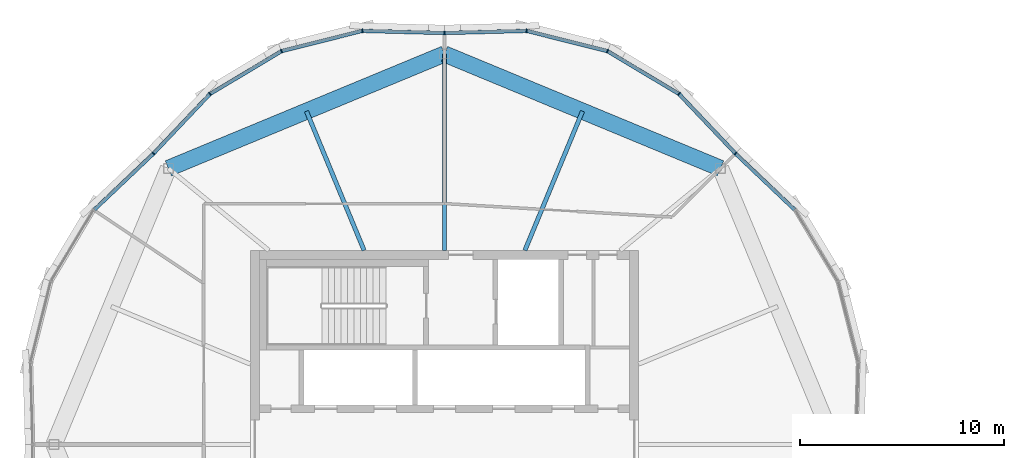
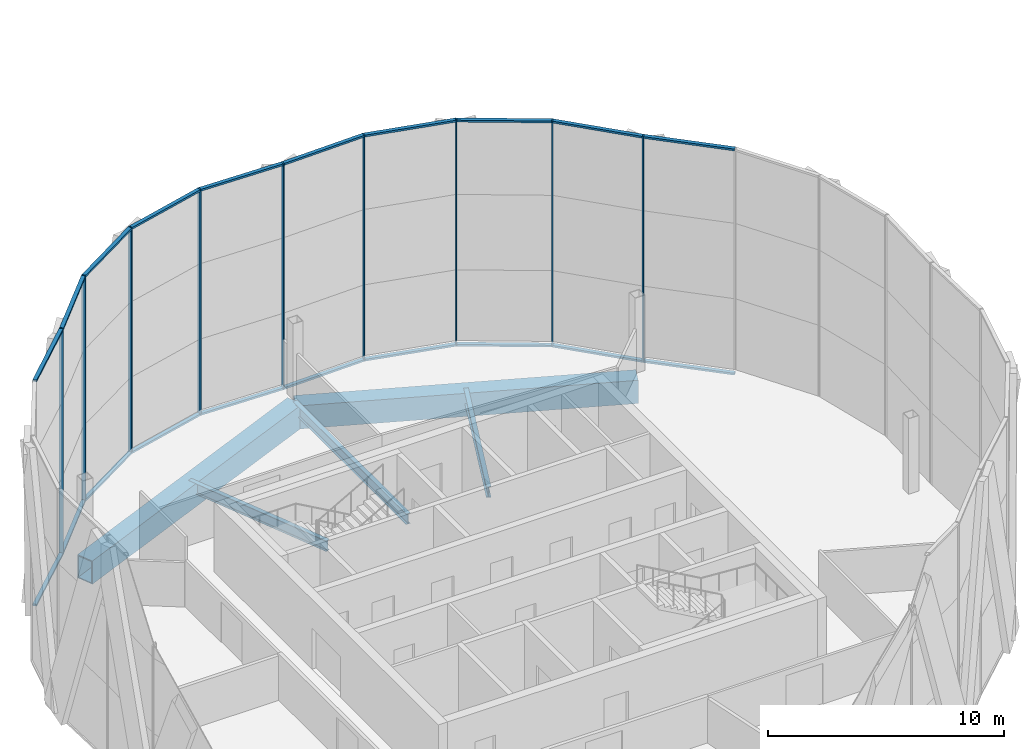
# One storey, part 7 of 22: 29 members, 5 beams, 4 elements without a shape of their own.
"""IFC4 building model written with IfcOpenShell, lengths in metres."""

from ifc_helpers import new_model, si_unit, direction, frame, origin, origin_2d, place, context, subcontext, project, spatial, rectangle, hollow_rectangle, i_section, extrude, material, material_profile, profile_set, type_object, element, aggregate, save


model = new_model("IFC4")

# Units and contexts
model_context = context("Model", 3, precision=1e-05, world=origin(), true_north=direction((0.0, 1.0)))
body_context = subcontext(model_context, "Body", "Model", "MODEL_VIEW")
ifc_project = project(units=[si_unit("LENGTHUNIT", "METRE"), si_unit("AREAUNIT", "SQUARE_METRE"), si_unit("VOLUMEUNIT", "CUBIC_METRE"), si_unit("PLANEANGLEUNIT", "RADIAN"), si_unit("MASSUNIT", "GRAM", prefix="KILO")], contexts=[model_context])

# Site, building, storey
site_placement = place(None, origin())
site = spatial("IfcSite", under=ifc_project, at=site_placement, CompositionType="ELEMENT")
building_placement = place(site_placement, origin())
building = spatial("IfcBuilding", under=site, at=building_placement, Name="Ogive Gate Towers", CompositionType="ELEMENT")
storey_placement = place(building_placement, frame((0.0, 0.0, 228.89990234375)))
storey = spatial("IfcBuildingStorey", under=building, at=storey_placement, Name="L54", CompositionType="ELEMENT", Elevation=228.89990234375)

# Beams
ifc_material_1 = material(Name="Steel SM460", Category="steel")
ifc_material_profile_1 = material_profile(ifc_material_1, hollow_rectangle(XDim=0.800048828125, YDim=1.199951171875, WallThickness=0.050048828125, at=origin_2d()), Name="BX 1200x800x50")
ifc_profile_set_1 = profile_set([ifc_material_profile_1], Name="Steel SM460")
beam_type_1 = type_object("IfcBeamType", Name="Edge girder BX 1200x800x50", PredefinedType="BEAM", material=ifc_profile_set_1)
for number, where, z_axis, x_axis, name in (
    (1, (-22.4873046875, 13.5126953125, -0.89990234375), (-0.923872994947, 0.38269921506, 0.0), (-0.38269921506, -0.923872994947, 0.0), "T1/L54/SBM021"),
    (2, (-36.0, 19.110107421875, -0.89990234375), (-0.923872994947, -0.38269921506, 0.0), (0.38269921506, -0.923872994947, 0.0), "T1/L54/SBM022"),
):
    element("IfcBeam", number, at=place(storey_placement, frame(where, z_axis=z_axis, x_axis=x_axis)), inside=storey, type_object=beam_type_1, Name=name, PredefinedType="BEAM", context=body_context, shape_type="SweptSolid", body=[
        extrude(hollow_rectangle(XDim=0.800048828125, YDim=1.199951171875, WallThickness=0.050048828125, at=origin_2d()), origin(), (0.0, 0.0, 1.0), 14.626220703125),
    ])
ifc_material_2 = material(Name="Steel SM355", Category="steel")
ifc_material_profile_2 = material_profile(ifc_material_2, i_section(OverallWidth=0.2099609375, OverallDepth=0.550048828125, WebThickness=0.010986328125, FlangeThickness=0.01708984375, FilletRadius=0.02392578125, at=origin_2d()), Name="IPE 550")
ifc_profile_set_2 = profile_set([ifc_material_profile_2], Name="Steel SM355")
beam_type_2 = type_object("IfcBeamType", Name="Radial floor beam IPE 550", PredefinedType="BEAM", material=ifc_profile_set_2)
beam_1_placement = place(storey_placement, frame((-32.06494140625, 9.5, -0.574951171875), z_axis=(0.382667649558, 0.923886069806, 0.0), x_axis=(-0.923886069806, 0.382667649558, 0.0)))
element("IfcBeam", 3, at=beam_1_placement, inside=storey, type_object=beam_type_2, Name="T1/L54/SBM010", PredefinedType="BEAM", context=body_context, shape_type="SweptSolid", body=[
    extrude(i_section(OverallWidth=0.2099609375, OverallDepth=0.550048828125, WebThickness=0.010986328125, FlangeThickness=0.01708984375, FilletRadius=0.02392578125, at=origin_2d()), origin(), (0.0, 0.0, 1.0), 7.372802734375),
])
beam_2_placement = place(storey_placement, frame((-36.0, 9.5, -0.574951171875), z_axis=(0.0, 1.0, 0.0), x_axis=(-1.0, 0.0, 0.0)))
element("IfcBeam", 4, at=beam_2_placement, inside=storey, type_object=beam_type_2, Name="T1/L54/SBM011", PredefinedType="BEAM", context=body_context, shape_type="SweptSolid", body=[
    extrude(i_section(OverallWidth=0.2099609375, OverallDepth=0.550048828125, WebThickness=0.010986328125, FlangeThickness=0.01708984375, FilletRadius=0.02392578125, at=origin_2d()), origin(), (0.0, 0.0, 1.0), 9.610107421875),
])
beam_3_placement = place(storey_placement, frame((-39.93505859375, 9.5, -0.574951171875), z_axis=(-0.382667649558, 0.923886069806, 0.0), x_axis=(-0.923886069806, -0.382667649558, 0.0)))
element("IfcBeam", 5, at=beam_3_placement, inside=storey, type_object=beam_type_2, Name="T1/L54/SBM012", PredefinedType="BEAM", context=body_context, shape_type="SweptSolid", body=[
    extrude(i_section(OverallWidth=0.2099609375, OverallDepth=0.550048828125, WebThickness=0.010986328125, FlangeThickness=0.01708984375, FilletRadius=0.02392578125, at=origin_2d()), origin(), (0.0, 0.0, 1.0), 7.372802734375),
])

# Curtain wall, member
ifc_material_3 = material(Name="Pale metal aluminium", Category="aluminium")
curtain_wall_type = type_object("IfcCurtainWallType", Name="Tower unitised wall, high zone", PredefinedType="NOTDEFINED", material=ifc_material_3)
curtain_wall_1_placement = place(storey_placement, origin())
curtain_wall_1 = element("IfcCurtainWall", 6, at=curtain_wall_1_placement, inside=storey, type_object=curtain_wall_type, Name="CW2 T1 ECW01", PredefinedType="NOTDEFINED")
ifc_material_profile_3 = material_profile(ifc_material_3, rectangle(XDim=0.179931640625, YDim=0.06005859375, at=origin_2d()), Name="60 x 180 aluminium box")
ifc_profile_set_3 = profile_set([ifc_material_profile_3], Name="Pale metal aluminium")
member_type_1 = type_object("IfcMemberType", Name="Tower unitised wall, high zone mullion 60 x 180", PredefinedType="MULLION", material=ifc_profile_set_3)
member_1_placement = place(storey_placement, frame((-21.7587890625, 14.240966796875, -0.2998046875), z_axis=(0.0, 0.0, 1.0), x_axis=(0.688329254932, 0.725398398678, 0.0)))
member_1 = element("IfcMember", 7, at=member_1_placement, type_object=member_type_1, Name="CW2 mullion", PredefinedType="MULLION", context=body_context, shape_type="SweptSolid", body=[
    extrude(rectangle(XDim=0.179931640625, YDim=0.06005859375, at=origin_2d()), origin(), (0.0, 0.0, 1.0), 11.699951171875),
])

# Curtain wall, members
curtain_wall_2_placement = place(storey_placement, origin())
curtain_wall_2 = element("IfcCurtainWall", 8, at=curtain_wall_2_placement, inside=storey, type_object=curtain_wall_type, Name="CW2 T1 ECW02", PredefinedType="NOTDEFINED")
member_2_placement = place(storey_placement, frame((-24.526123046875, 17.15771484375, -0.2998046875), z_axis=(0.0, 0.0, 1.0), x_axis=(0.625528657017, 0.780201191521, 0.0)))
member_2 = element("IfcMember", 9, at=member_2_placement, type_object=member_type_1, Name="CW2 mullion", PredefinedType="MULLION", context=body_context, shape_type="SweptSolid", body=[
    extrude(rectangle(XDim=0.179931640625, YDim=0.06005859375, at=origin_2d()), origin(), (0.0, 0.0, 1.0), 11.699951171875),
])
member_3_placement = place(storey_placement, frame((-28.0244140625, 19.254638671875, -0.2998046875), z_axis=(0.0, 0.0, 1.0), x_axis=(0.382699557047, 0.923872853285, 0.0)))
member_3 = element("IfcMember", 10, at=member_3_placement, type_object=member_type_1, Name="CW2 mullion", PredefinedType="MULLION", context=body_context, shape_type="SweptSolid", body=[
    extrude(rectangle(XDim=0.179931640625, YDim=0.06005859375, at=origin_2d()), origin(), (0.0, 0.0, 1.0), 11.699951171875),
])
member_4_placement = place(storey_placement, frame((-31.98095703125, 20.24560546875, -0.2998046875), z_axis=(0.0, 0.0, 1.0), x_axis=(0.109369998011, 0.994001108417, 0.0)))
member_4 = element("IfcMember", 11, at=member_4_placement, type_object=member_type_1, Name="CW2 mullion", PredefinedType="MULLION", context=body_context, shape_type="SweptSolid", body=[
    extrude(rectangle(XDim=0.179931640625, YDim=0.06005859375, at=origin_2d()), origin(), (0.0, 0.0, 1.0), 11.699951171875),
])
member_5_placement = place(storey_placement, frame((-35.999755859375, 20.139892578125, -0.2998046875), z_axis=(0.0, 0.0, 1.0), x_axis=(-0.026229290207, 0.999655952983, 0.0)))
member_5 = element("IfcMember", 12, at=member_5_placement, type_object=member_type_1, Name="CW2 mullion", PredefinedType="MULLION", context=body_context, shape_type="SweptSolid", body=[
    extrude(rectangle(XDim=0.179931640625, YDim=0.06005859375, at=origin_2d()), origin(), (0.0, 0.0, 1.0), 11.699951171875),
])

curtain_wall_3_placement = place(storey_placement, origin())
curtain_wall_3 = element("IfcCurtainWall", 13, at=curtain_wall_3_placement, inside=storey, type_object=curtain_wall_type, Name="CW2 T1 ECW03", PredefinedType="NOTDEFINED")
member_6_placement = place(storey_placement, frame((-40.01904296875, 20.24560546875, -0.2998046875), z_axis=(0.0, 0.0, 1.0), x_axis=(-0.109369998011, 0.994001108417, 0.0)))
member_6 = element("IfcMember", 14, at=member_6_placement, type_object=member_type_1, Name="CW2 mullion", PredefinedType="MULLION", context=body_context, shape_type="SweptSolid", body=[
    extrude(rectangle(XDim=0.179931640625, YDim=0.06005859375, at=origin_2d()), origin(), (0.0, 0.0, 1.0), 11.699951171875),
])
member_7_placement = place(storey_placement, frame((-43.9755859375, 19.254638671875, -0.2998046875), z_axis=(0.0, 0.0, 1.0), x_axis=(-0.382699557047, 0.923872853285, 0.0)))
member_7 = element("IfcMember", 15, at=member_7_placement, type_object=member_type_1, Name="CW2 mullion", PredefinedType="MULLION", context=body_context, shape_type="SweptSolid", body=[
    extrude(rectangle(XDim=0.179931640625, YDim=0.06005859375, at=origin_2d()), origin(), (0.0, 0.0, 1.0), 11.699951171875),
])
member_8_placement = place(storey_placement, frame((-47.473876953125, 17.15771484375, -0.2998046875), z_axis=(0.0, 0.0, 1.0), x_axis=(-0.625528657017, 0.780201191521, 0.0)))
member_8 = element("IfcMember", 16, at=member_8_placement, type_object=member_type_1, Name="CW2 mullion", PredefinedType="MULLION", context=body_context, shape_type="SweptSolid", body=[
    extrude(rectangle(XDim=0.179931640625, YDim=0.06005859375, at=origin_2d()), origin(), (0.0, 0.0, 1.0), 11.699951171875),
])
member_9_placement = place(storey_placement, frame((-50.240966796875, 14.2412109375, -0.2998046875), z_axis=(0.0, 0.0, 1.0), x_axis=(-0.725398398678, 0.688329254932, 0.0)))
member_9 = element("IfcMember", 17, at=member_9_placement, type_object=member_type_1, Name="CW2 mullion", PredefinedType="MULLION", context=body_context, shape_type="SweptSolid", body=[
    extrude(rectangle(XDim=0.179931640625, YDim=0.06005859375, at=origin_2d()), origin(), (0.0, 0.0, 1.0), 11.699951171875),
])

# Member
ifc_material_profile_4 = material_profile(ifc_material_3, rectangle(XDim=0.179931640625, YDim=0.10009765625, at=origin_2d()), Name="100 x 180 aluminium box")
ifc_profile_set_4 = profile_set([ifc_material_profile_4], Name="Pale metal aluminium")
member_type_2 = type_object("IfcMemberType", Name="Tower unitised wall, high zone transom 100 x 180", PredefinedType="USERDEFINED", material=ifc_profile_set_4)
member_10_placement = place(storey_placement, frame((-18.86328125, 11.493408203125, 11.35009765625), z_axis=(-0.725384001272, 0.688344427375, 0.0), x_axis=(-0.688344427375, -0.725384001272, 0.0)))
member_10 = element("IfcMember", 18, at=member_10_placement, type_object=member_type_2, Name="CW2 transom", ObjectType="TRANSOM", PredefinedType="USERDEFINED", context=body_context, shape_type="SweptSolid", body=[
    extrude(rectangle(XDim=0.179931640625, YDim=0.10009765625, at=origin_2d()), origin(), (0.0, 0.0, 1.0), 3.96142578125),
])

member_11_placement = place(storey_placement, frame((-18.86328125, 11.493408203125, -0.25), z_axis=(-0.725384001272, 0.688344427375, 0.0), x_axis=(-0.688344427375, -0.725384001272, 0.0)))
member_11 = element("IfcMember", 19, at=member_11_placement, type_object=member_type_2, Name="CW2 transom", ObjectType="TRANSOM", PredefinedType="USERDEFINED", context=body_context, shape_type="SweptSolid", body=[
    extrude(rectangle(XDim=0.179931640625, YDim=0.10009765625, at=origin_2d()), origin(), (0.0, 0.0, 1.0), 3.96142578125),
])

aggregate(curtain_wall_1, [member_1, member_10, member_11])

member_12_placement = place(storey_placement, frame((-21.77978515625, 14.26318359375, 11.35009765625), z_axis=(-0.688344427375, 0.725384001272, 0.0), x_axis=(-0.725384001272, -0.688344427375, 0.0)))
member_12 = element("IfcMember", 20, at=member_12_placement, type_object=member_type_2, Name="CW2 transom", ObjectType="TRANSOM", PredefinedType="USERDEFINED", context=body_context, shape_type="SweptSolid", body=[
    extrude(rectangle(XDim=0.179931640625, YDim=0.10009765625, at=origin_2d()), origin(), (0.0, 0.0, 1.0), 3.96142578125),
])

member_13_placement = place(storey_placement, frame((-21.77978515625, 14.26318359375, -0.25), z_axis=(-0.688344427375, 0.725384001272, 0.0), x_axis=(-0.725384001272, -0.688344427375, 0.0)))
member_13 = element("IfcMember", 21, at=member_13_placement, type_object=member_type_2, Name="CW2 transom", ObjectType="TRANSOM", PredefinedType="USERDEFINED", context=body_context, shape_type="SweptSolid", body=[
    extrude(rectangle(XDim=0.179931640625, YDim=0.10009765625, at=origin_2d()), origin(), (0.0, 0.0, 1.0), 3.96142578125),
])

member_14_placement = place(storey_placement, frame((-24.55078125, 17.172119140625, 11.35009765625), z_axis=(-0.857674994369, 0.514192185894, 0.0), x_axis=(-0.514192185894, -0.857674994369, 0.0)))
member_14 = element("IfcMember", 22, at=member_14_placement, type_object=member_type_2, Name="CW2 transom", ObjectType="TRANSOM", PredefinedType="USERDEFINED", context=body_context, shape_type="SweptSolid", body=[
    extrude(rectangle(XDim=0.179931640625, YDim=0.10009765625, at=origin_2d()), origin(), (0.0, 0.0, 1.0), 4.021484375),
])

member_15_placement = place(storey_placement, frame((-24.55078125, 17.172119140625, -0.25), z_axis=(-0.857674994369, 0.514192185894, 0.0), x_axis=(-0.514192185894, -0.857674994369, 0.0)))
member_15 = element("IfcMember", 23, at=member_15_placement, type_object=member_type_2, Name="CW2 transom", ObjectType="TRANSOM", PredefinedType="USERDEFINED", context=body_context, shape_type="SweptSolid", body=[
    extrude(rectangle(XDim=0.179931640625, YDim=0.10009765625, at=origin_2d()), origin(), (0.0, 0.0, 1.0), 4.021484375),
])

member_16_placement = place(storey_placement, frame((-28.052001953125, 19.261474609375, 11.35009765625), z_axis=(-0.970038852527, 0.242949839653, 0.0), x_axis=(-0.242949839653, -0.970038852527, 0.0)))
member_16 = element("IfcMember", 24, at=member_16_placement, type_object=member_type_2, Name="CW2 transom", ObjectType="TRANSOM", PredefinedType="USERDEFINED", context=body_context, shape_type="SweptSolid", body=[
    extrude(rectangle(XDim=0.179931640625, YDim=0.10009765625, at=origin_2d()), origin(), (0.0, 0.0, 1.0), 4.021728515625),
])

member_17_placement = place(storey_placement, frame((-28.052001953125, 19.261474609375, -0.25), z_axis=(-0.970038852527, 0.242949839653, 0.0), x_axis=(-0.242949839653, -0.970038852527, 0.0)))
member_17 = element("IfcMember", 25, at=member_17_placement, type_object=member_type_2, Name="CW2 transom", ObjectType="TRANSOM", PredefinedType="USERDEFINED", context=body_context, shape_type="SweptSolid", body=[
    extrude(rectangle(XDim=0.179931640625, YDim=0.10009765625, at=origin_2d()), origin(), (0.0, 0.0, 1.0), 4.021728515625),
])

member_18_placement = place(storey_placement, frame((-32.009521484375, 20.24462890625, 11.35009765625), z_axis=(-0.999656940786, -0.026191615796, 0.0), x_axis=(0.026191615796, -0.999656940786, 0.0)))
member_18 = element("IfcMember", 26, at=member_18_placement, type_object=member_type_2, Name="CW2 transom", ObjectType="TRANSOM", PredefinedType="USERDEFINED", context=body_context, shape_type="SweptSolid", body=[
    extrude(rectangle(XDim=0.179931640625, YDim=0.10009765625, at=origin_2d()), origin(), (0.0, 0.0, 1.0), 3.961669921875),
])

member_19_placement = place(storey_placement, frame((-32.009521484375, 20.24462890625, -0.25), z_axis=(-0.999656940786, -0.026191615796, 0.0), x_axis=(0.026191615796, -0.999656940786, 0.0)))
member_19 = element("IfcMember", 27, at=member_19_placement, type_object=member_type_2, Name="CW2 transom", ObjectType="TRANSOM", PredefinedType="USERDEFINED", context=body_context, shape_type="SweptSolid", body=[
    extrude(rectangle(XDim=0.179931640625, YDim=0.10009765625, at=origin_2d()), origin(), (0.0, 0.0, 1.0), 3.961669921875),
])

aggregate(curtain_wall_2, [member_2, member_12, member_13, member_3, member_14, member_15, member_4, member_16, member_17, member_5, member_18, member_19])

member_20_placement = place(storey_placement, frame((-36.0302734375, 20.140869140625, 11.35009765625), z_axis=(-0.999656940786, 0.026191615796, 0.0), x_axis=(-0.026191615796, -0.999656940786, 0.0)))
member_20 = element("IfcMember", 28, at=member_20_placement, type_object=member_type_2, Name="CW2 transom", ObjectType="TRANSOM", PredefinedType="USERDEFINED", context=body_context, shape_type="SweptSolid", body=[
    extrude(rectangle(XDim=0.179931640625, YDim=0.10009765625, at=origin_2d()), origin(), (0.0, 0.0, 1.0), 3.961669921875),
])

member_21_placement = place(storey_placement, frame((-36.0302734375, 20.140869140625, -0.25), z_axis=(-0.999656940786, 0.026191615796, 0.0), x_axis=(-0.026191615796, -0.999656940786, 0.0)))
member_21 = element("IfcMember", 29, at=member_21_placement, type_object=member_type_2, Name="CW2 transom", ObjectType="TRANSOM", PredefinedType="USERDEFINED", context=body_context, shape_type="SweptSolid", body=[
    extrude(rectangle(XDim=0.179931640625, YDim=0.10009765625, at=origin_2d()), origin(), (0.0, 0.0, 1.0), 3.961669921875),
])

member_22_placement = place(storey_placement, frame((-40.046875, 20.238525390625, 11.35009765625), z_axis=(-0.970038852527, -0.242949839653, 0.0), x_axis=(0.242949839653, -0.970038852527, 0.0)))
member_22 = element("IfcMember", 30, at=member_22_placement, type_object=member_type_2, Name="CW2 transom", ObjectType="TRANSOM", PredefinedType="USERDEFINED", context=body_context, shape_type="SweptSolid", body=[
    extrude(rectangle(XDim=0.179931640625, YDim=0.10009765625, at=origin_2d()), origin(), (0.0, 0.0, 1.0), 4.021728515625),
])

member_23_placement = place(storey_placement, frame((-40.046875, 20.238525390625, -0.25), z_axis=(-0.970038852527, -0.242949839653, 0.0), x_axis=(0.242949839653, -0.970038852527, 0.0)))
member_23 = element("IfcMember", 31, at=member_23_placement, type_object=member_type_2, Name="CW2 transom", ObjectType="TRANSOM", PredefinedType="USERDEFINED", context=body_context, shape_type="SweptSolid", body=[
    extrude(rectangle(XDim=0.179931640625, YDim=0.10009765625, at=origin_2d()), origin(), (0.0, 0.0, 1.0), 4.021728515625),
])

member_24_placement = place(storey_placement, frame((-44.0, 19.239990234375, 11.35009765625), z_axis=(-0.857674994369, -0.514192185894, 0.0), x_axis=(0.514192185894, -0.857674994369, 0.0)))
member_24 = element("IfcMember", 32, at=member_24_placement, type_object=member_type_2, Name="CW2 transom", ObjectType="TRANSOM", PredefinedType="USERDEFINED", context=body_context, shape_type="SweptSolid", body=[
    extrude(rectangle(XDim=0.179931640625, YDim=0.10009765625, at=origin_2d()), origin(), (0.0, 0.0, 1.0), 4.021484375),
])

member_25_placement = place(storey_placement, frame((-44.0, 19.239990234375, -0.25), z_axis=(-0.857674994369, -0.514192185894, 0.0), x_axis=(0.514192185894, -0.857674994369, 0.0)))
member_25 = element("IfcMember", 33, at=member_25_placement, type_object=member_type_2, Name="CW2 transom", ObjectType="TRANSOM", PredefinedType="USERDEFINED", context=body_context, shape_type="SweptSolid", body=[
    extrude(rectangle(XDim=0.179931640625, YDim=0.10009765625, at=origin_2d()), origin(), (0.0, 0.0, 1.0), 4.021484375),
])

member_26_placement = place(storey_placement, frame((-47.493408203125, 17.13671875, 11.35009765625), z_axis=(-0.688344427375, -0.725384001272, 0.0), x_axis=(0.725384001272, -0.688344427375, 0.0)))
member_26 = element("IfcMember", 34, at=member_26_placement, type_object=member_type_2, Name="CW2 transom", ObjectType="TRANSOM", PredefinedType="USERDEFINED", context=body_context, shape_type="SweptSolid", body=[
    extrude(rectangle(XDim=0.179931640625, YDim=0.10009765625, at=origin_2d()), origin(), (0.0, 0.0, 1.0), 3.96142578125),
])

member_27_placement = place(storey_placement, frame((-47.493408203125, 17.13671875, -0.25), z_axis=(-0.688344427375, -0.725384001272, 0.0), x_axis=(0.725384001272, -0.688344427375, 0.0)))
member_27 = element("IfcMember", 35, at=member_27_placement, type_object=member_type_2, Name="CW2 transom", ObjectType="TRANSOM", PredefinedType="USERDEFINED", context=body_context, shape_type="SweptSolid", body=[
    extrude(rectangle(XDim=0.179931640625, YDim=0.10009765625, at=origin_2d()), origin(), (0.0, 0.0, 1.0), 3.96142578125),
])

aggregate(curtain_wall_3, [member_6, member_20, member_21, member_7, member_22, member_23, member_8, member_24, member_25, member_9, member_26, member_27])

# Curtain wall, members
curtain_wall_4_placement = place(storey_placement, origin())
curtain_wall_4 = element("IfcCurtainWall", 36, at=curtain_wall_4_placement, inside=storey, type_object=curtain_wall_type, Name="CW2 T1 ECW04", PredefinedType="NOTDEFINED")
member_28_placement = place(storey_placement, frame((-50.26318359375, 14.22021484375, 11.35009765625), z_axis=(-0.725384001272, -0.688344427375, 0.0), x_axis=(0.688344427375, -0.725384001272, 0.0)))
member_28 = element("IfcMember", 37, at=member_28_placement, type_object=member_type_2, Name="CW2 transom", ObjectType="TRANSOM", PredefinedType="USERDEFINED", context=body_context, shape_type="SweptSolid", body=[
    extrude(rectangle(XDim=0.179931640625, YDim=0.10009765625, at=origin_2d()), origin(), (0.0, 0.0, 1.0), 3.96142578125),
])
member_29_placement = place(storey_placement, frame((-50.26318359375, 14.22021484375, -0.25), z_axis=(-0.725384001272, -0.688344427375, 0.0), x_axis=(0.688344427375, -0.725384001272, 0.0)))
member_29 = element("IfcMember", 38, at=member_29_placement, type_object=member_type_2, Name="CW2 transom", ObjectType="TRANSOM", PredefinedType="USERDEFINED", context=body_context, shape_type="SweptSolid", body=[
    extrude(rectangle(XDim=0.179931640625, YDim=0.10009765625, at=origin_2d()), origin(), (0.0, 0.0, 1.0), 3.96142578125),
])
aggregate(curtain_wall_4, [member_28, member_29])

save(model, "model.ifc")
